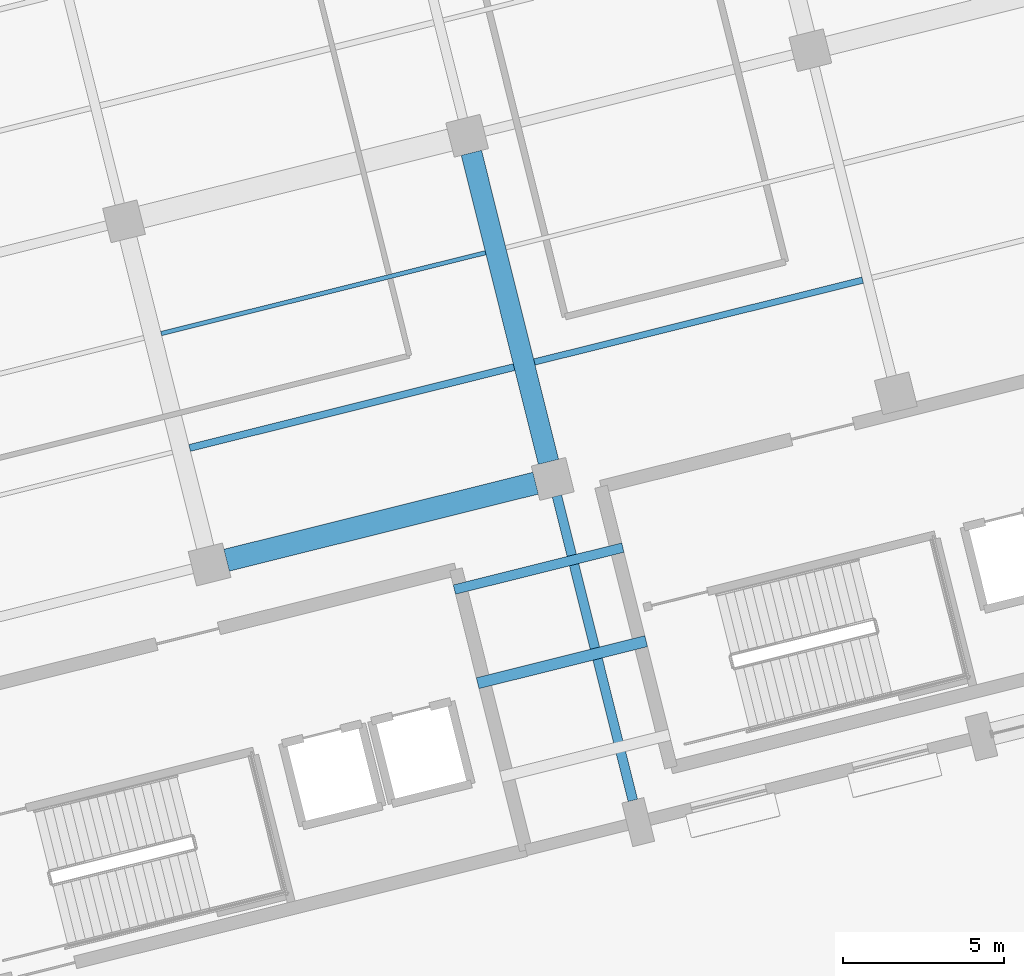
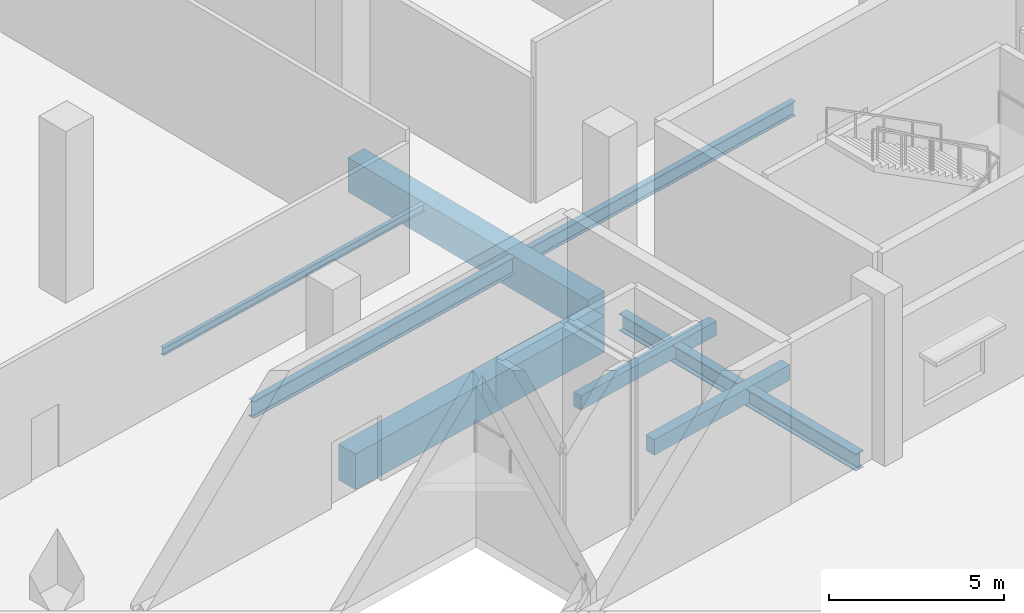
# One storey, part 86 of 163: 8 beams.
"""IFC4 building model written with IfcOpenShell, lengths in metres."""

from ifc_helpers import new_model, si_unit, direction, frame, origin, origin_2d, place, context, subcontext, project, spatial, rectangle, i_section, extrude, material, material_profile, profile_set, type_object, element, save


model = new_model("IFC4")

# Units and contexts
model_context = context("Model", 3, precision=1e-05, world=origin(), true_north=direction((0.0, 1.0)))
body_context = subcontext(model_context, "Body", "Model", "MODEL_VIEW")
ifc_project = project(units=[si_unit("LENGTHUNIT", "METRE"), si_unit("AREAUNIT", "SQUARE_METRE"), si_unit("VOLUMEUNIT", "CUBIC_METRE"), si_unit("PLANEANGLEUNIT", "RADIAN"), si_unit("MASSUNIT", "GRAM", prefix="KILO")], contexts=[model_context])

# Site, building, storey
site_placement = place(None, origin())
site = spatial("IfcSite", under=ifc_project, at=site_placement, CompositionType="ELEMENT")
building_placement = place(site_placement, origin())
building = spatial("IfcBuilding", under=site, at=building_placement, Name="Khorjan Park Terminus", CompositionType="ELEMENT")
storey_placement = place(building_placement, origin())
storey = spatial("IfcBuildingStorey", under=building, at=storey_placement, Name="L00", CompositionType="ELEMENT", Elevation=0.0)

# Beams
ifc_material_1 = material(Name="Steel S355", Category="steel")
ifc_material_profile_1 = material_profile(ifc_material_1, i_section(OverallWidth=0.3, OverallDepth=0.6, WebThickness=0.0155, FlangeThickness=0.03, FilletRadius=0.027, at=origin_2d()), Name="HEB 600")
ifc_profile_set_1 = profile_set([ifc_material_profile_1], Name="Steel S355")
beam_type_1 = type_object("IfcBeamType", Name="BM-HEB600", PredefinedType="BEAM", material=ifc_profile_set_1)
beam_1_placement = place(storey_placement, frame((197.8516, 10.6578, -0.66), z_axis=(-0.241915999835, 0.970297196236, 0.0), x_axis=(-0.970297196236, -0.241915999835, 0.0)))
element("IfcBeam", 1, at=beam_1_placement, inside=storey, type_object=beam_type_1, Name="Primary skew-grid floor girder SB-B60 (L00)", PredefinedType="BEAM", context=body_context, shape_type="SweptSolid", body=[
    extrude(i_section(OverallWidth=0.3, OverallDepth=0.6, WebThickness=0.0155, FlangeThickness=0.03, FilletRadius=0.027, at=origin_2d()), origin(), (0.0, 0.0, 1.0), 9.76),
])
ifc_material_2 = material(Name="Concrete C40/50", Category="concrete")
ifc_material_profile_2 = material_profile(ifc_material_2, rectangle(XDim=0.65, YDim=1.2, at=origin_2d()), Name="RC 650x1200")
ifc_profile_set_2 = profile_set([ifc_material_profile_2], Name="Concrete C40/50")
beam_type_2 = type_object("IfcBeamType", Name="BM-RC650x1200", PredefinedType="BEAM", material=ifc_profile_set_2)
beam_2_placement = place(storey_placement, frame((195.2268, 21.1855, -0.96), z_axis=(-0.24192775306, 0.970294265828, 0.0), x_axis=(-0.970294265828, -0.24192775306, 0.0)))
element("IfcBeam", 2, at=beam_2_placement, inside=storey, type_object=beam_type_2, Name="Primary skew-grid floor girder GB-12 (L00)", PredefinedType="BEAM", context=body_context, shape_type="SweptSolid", body=[
    extrude(rectangle(XDim=0.65, YDim=1.2, at=origin_2d()), origin(), (0.0, 0.0, 1.0), 9.91),
])
ifc_material_profile_3 = material_profile(ifc_material_2, rectangle(XDim=0.7, YDim=1.25, at=origin_2d()), Name="RC 700x1250")
ifc_profile_set_3 = profile_set([ifc_material_profile_3], Name="Concrete C40/50")
beam_type_3 = type_object("IfcBeamType", Name="BM-RC700x1250", PredefinedType="BEAM", material=ifc_profile_set_3)
beam_3_placement = place(storey_placement, frame((185.2142, 18.1274, -0.985), z_axis=(0.970296634521, 0.241918252798, 0.0), x_axis=(-0.241918252798, 0.970296634521, 0.0)))
element("IfcBeam", 3, at=beam_3_placement, inside=storey, type_object=beam_type_3, Name="Primary skew-grid floor girder GB-125 (L00)", PredefinedType="BEAM", context=body_context, shape_type="SweptSolid", body=[
    extrude(rectangle(XDim=0.7, YDim=1.25, at=origin_2d()), origin(), (0.0, 0.0, 1.0), 9.91),
])
ifc_material_profile_4 = material_profile(ifc_material_1, i_section(OverallWidth=0.135, OverallDepth=0.27, WebThickness=0.0066, FlangeThickness=0.0102, FilletRadius=0.015, at=origin_2d()), Name="IPE 270")
ifc_profile_set_4 = profile_set([ifc_material_profile_4], Name="Steel S355")
beam_type_4 = type_object("IfcBeamType", Name="JS-IPE270", PredefinedType="JOIST", material=ifc_profile_set_4)
beam_4_placement = place(storey_placement, frame((183.1781, 25.1775, -0.495), z_axis=(0.970295586552, 0.241922456002, 0.0), x_axis=(-0.241922456002, 0.970295586552, 0.0)))
element("IfcBeam", 4, at=beam_4_placement, inside=storey, type_object=beam_type_4, Name="Secondary composite floor joist SJ-27 (L00)", PredefinedType="JOIST", context=body_context, shape_type="SweptSolid", body=[
    extrude(i_section(OverallWidth=0.135, OverallDepth=0.27, WebThickness=0.0066, FlangeThickness=0.0102, FilletRadius=0.015, at=origin_2d()), origin(), (0.0, 0.0, 1.0), 10.4),
])
ifc_material_profile_5 = material_profile(ifc_material_1, i_section(OverallWidth=0.2, OverallDepth=0.5, WebThickness=0.0102, FlangeThickness=0.016, FilletRadius=0.021, at=origin_2d()), Name="IPE 500")
ifc_profile_set_5 = profile_set([ifc_material_profile_5], Name="Steel S355")
beam_type_5 = type_object("IfcBeamType", Name="JS-IPE500", PredefinedType="JOIST", material=ifc_profile_set_5)
beam_5_placement = place(storey_placement, frame((194.7869, 24.2931, -0.61), z_axis=(0.970296558074, 0.241918559415, 0.0), x_axis=(-0.241918559415, 0.970296558074, 0.0)))
element("IfcBeam", 5, at=beam_5_placement, inside=storey, type_object=beam_type_5, Name="Secondary composite floor joist SJ-50 (L00)", PredefinedType="JOIST", context=body_context, shape_type="SweptSolid", body=[
    extrude(i_section(OverallWidth=0.2, OverallDepth=0.5, WebThickness=0.0102, FlangeThickness=0.016, FilletRadius=0.021, at=origin_2d()), origin(), (0.0, 0.0, 1.0), 10.525),
])
ifc_material_profile_6 = material_profile(ifc_material_1, i_section(OverallWidth=0.22, OverallDepth=0.6, WebThickness=0.012, FlangeThickness=0.019, FilletRadius=0.024, at=origin_2d()), Name="IPE 600")
ifc_profile_set_6 = profile_set([ifc_material_profile_6], Name="Steel S355")
beam_type_6 = type_object("IfcBeamType", Name="JS-IPE600", PredefinedType="JOIST", material=ifc_profile_set_6)
beam_6_placement = place(storey_placement, frame((184.0651, 21.6198, -0.66), z_axis=(0.970295586552, 0.241922456002, 0.0), x_axis=(-0.241922456002, 0.970295586552, 0.0)))
element("IfcBeam", 6, at=beam_6_placement, inside=storey, type_object=beam_type_6, Name="Secondary composite floor joist SJ-60 (L00)", PredefinedType="JOIST", context=body_context, shape_type="SweptSolid", body=[
    extrude(i_section(OverallWidth=0.22, OverallDepth=0.6, WebThickness=0.012, FlangeThickness=0.019, FilletRadius=0.024, at=origin_2d()), origin(), (0.0, 0.0, 1.0), 10.4),
])
ifc_material_profile_7 = material_profile(ifc_material_2, rectangle(XDim=0.3, YDim=0.5, at=origin_2d()), Name="RC 300x500")
ifc_profile_set_7 = profile_set([ifc_material_profile_7], Name="Concrete C40/50")
beam_type_7 = type_object("IfcBeamType", Name="LN-RC300x500", PredefinedType="LINTEL", material=ifc_profile_set_7)
beam_7_placement = place(storey_placement, frame((192.3005, 17.2146, -0.61), z_axis=(0.97029481357, 0.241925556235, 0.0), x_axis=(-0.241925556235, 0.97029481357, 0.0)))
element("IfcBeam", 7, at=beam_7_placement, inside=storey, type_object=beam_type_7, Name="Inter-core coupling lintel beam LN-50 (L00)", PredefinedType="LINTEL", context=body_context, shape_type="SweptSolid", body=[
    extrude(rectangle(XDim=0.3, YDim=0.5, at=origin_2d()), origin(), (0.0, 0.0, 1.0), 5.4),
])
ifc_material_profile_8 = material_profile(ifc_material_2, rectangle(XDim=0.35, YDim=0.55, at=origin_2d()), Name="RC 350x550")
ifc_profile_set_8 = profile_set([ifc_material_profile_8], Name="Concrete C40/50")
beam_type_8 = type_object("IfcBeamType", Name="LN-RC350x550", PredefinedType="LINTEL", material=ifc_profile_set_8)
beam_8_placement = place(storey_placement, frame((193.0263, 14.3037, -0.635), z_axis=(0.97029481357, 0.241925556235, 0.0), x_axis=(-0.241925556235, 0.97029481357, 0.0)))
element("IfcBeam", 8, at=beam_8_placement, inside=storey, type_object=beam_type_8, Name="Inter-core coupling lintel beam LN-55 (L00)", PredefinedType="LINTEL", context=body_context, shape_type="SweptSolid", body=[
    extrude(rectangle(XDim=0.35, YDim=0.55, at=origin_2d()), origin(), (0.0, 0.0, 1.0), 5.4),
])

save(model, "model.ifc")
